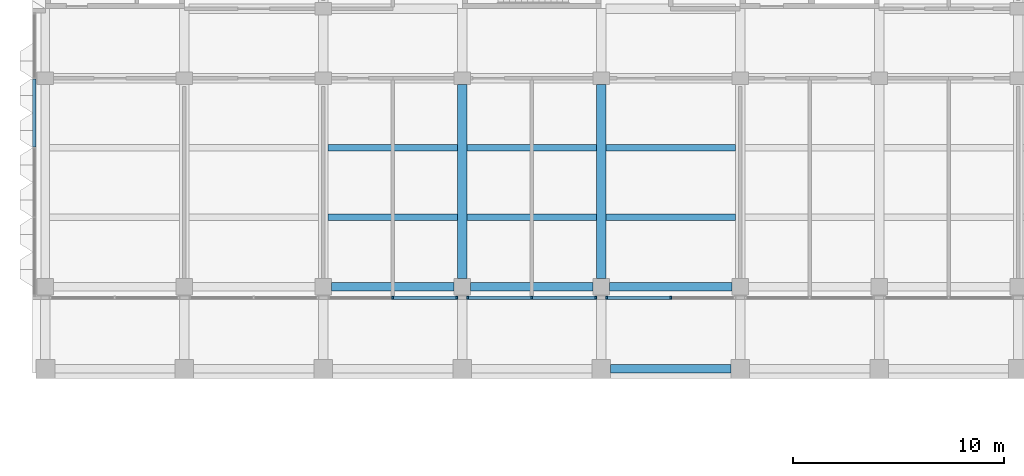
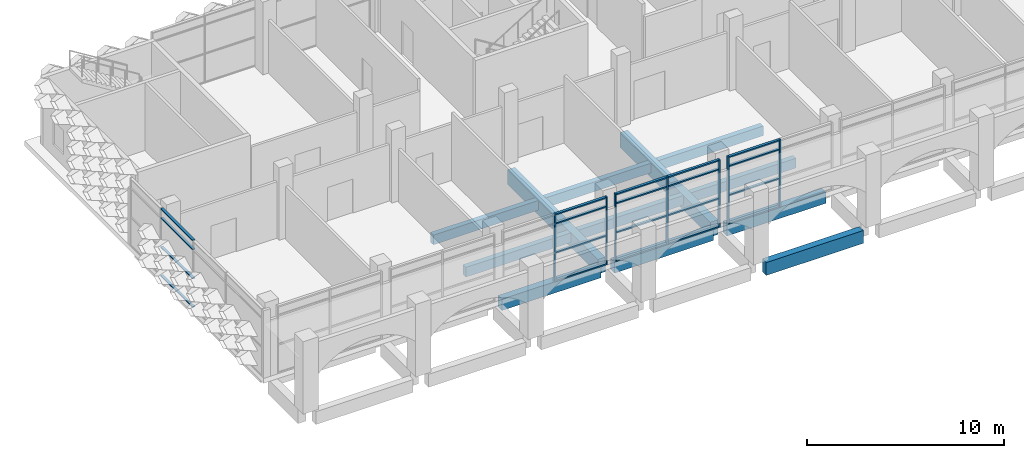
# One storey, part 3 of 87: 27 members, 12 beams, 4 elements without a shape of their own.
"""IFC4 building model written with IfcOpenShell, lengths in metres."""

from ifc_helpers import new_model, si_unit, direction, frame, origin, origin_2d, place, context, subcontext, project, spatial, rectangle, extrude, material, material_profile, profile_set, type_object, element, aggregate, save


model = new_model("IFC4")

# Units and contexts
model_context = context("Model", 3, precision=1e-05, world=origin(), true_north=direction((0.0, 1.0)))
body_context = subcontext(model_context, "Body", "Model", "MODEL_VIEW")
ifc_project = project(units=[si_unit("LENGTHUNIT", "METRE"), si_unit("AREAUNIT", "SQUARE_METRE"), si_unit("VOLUMEUNIT", "CUBIC_METRE"), si_unit("PLANEANGLEUNIT", "RADIAN"), si_unit("MASSUNIT", "GRAM", prefix="KILO")], contexts=[model_context])

# Site, building, storey
site_placement = place(None, origin())
site = spatial("IfcSite", under=ifc_project, at=site_placement, CompositionType="ELEMENT")
building_placement = place(site_placement, origin())
building = spatial("IfcBuilding", under=site, at=building_placement, Name="Lantern Court Research Institute", CompositionType="ELEMENT")
storey_placement = place(building_placement, frame((0.0, 0.0, 5.39990234375)))
storey = spatial("IfcBuildingStorey", under=building, at=storey_placement, Name="L01", CompositionType="ELEMENT", Elevation=5.39990234375)

# Curtain wall, members
ifc_material_1 = material(Name="Aluminium alloy 6063-T6", Category="aluminium")
curtain_wall_type_1 = type_object("IfcCurtainWallType", Name="Curtain wall 6150 x 4200 x 150 aluminium frame", PredefinedType="NOTDEFINED", material=ifc_material_1)
curtain_wall_1_placement = place(storey_placement, origin())
curtain_wall_1 = element("IfcCurtainWall", 1, at=curtain_wall_1_placement, inside=storey, type_object=curtain_wall_type_1, Name="Curtain wall CW025", PredefinedType="NOTDEFINED")
ifc_material_2 = material(Name="Aluminium alloy 6063-T6", Category="aluminium")
ifc_material_profile_1 = material_profile(ifc_material_2, rectangle(XDim=0.14990234375, YDim=0.080078125, at=origin_2d()), Name="Mullion 150 x 80")
ifc_profile_set_1 = profile_set([ifc_material_profile_1], Name="Aluminium alloy 6063-T6")
member_type_1 = type_object("IfcMemberType", Name="Mullion 150 x 80 aluminium", PredefinedType="MULLION", material=ifc_profile_set_1)
member_1_placement = place(storey_placement, frame((16.5, -0.52490234375, 0.0), z_axis=(0.0, 0.0, 1.0), x_axis=(0.0, -1.0, 0.0)))
member_1 = element("IfcMember", 2, at=member_1_placement, type_object=member_type_1, Name="CW025 mullion 2", PredefinedType="MULLION", context=body_context, shape_type="SweptSolid", body=[
    extrude(rectangle(XDim=0.14990234375, YDim=0.080078125, at=origin_2d()), origin(), (0.0, 0.0, 1.0), 4.2001953125),
])
member_2_placement = place(storey_placement, frame((19.534912109375, -0.52490234375, 0.0), z_axis=(0.0, 0.0, 1.0), x_axis=(0.0, -1.0, 0.0)))
member_2 = element("IfcMember", 3, at=member_2_placement, type_object=member_type_1, Name="CW025 mullion 3", PredefinedType="MULLION", context=body_context, shape_type="SweptSolid", body=[
    extrude(rectangle(XDim=0.14990234375, YDim=0.080078125, at=origin_2d()), origin(), (0.0, 0.0, 1.0), 4.2001953125),
])

curtain_wall_2_placement = place(storey_placement, origin())
curtain_wall_2 = element("IfcCurtainWall", 4, at=curtain_wall_2_placement, inside=storey, type_object=curtain_wall_type_1, Name="Curtain wall CW026", PredefinedType="NOTDEFINED")
member_3_placement = place(storey_placement, frame((20.06494140625, -0.52490234375, 0.0), z_axis=(0.0, 0.0, 1.0), x_axis=(0.0, -1.0, 0.0)))
member_3 = element("IfcMember", 5, at=member_3_placement, type_object=member_type_1, Name="CW026 mullion 1", PredefinedType="MULLION", context=body_context, shape_type="SweptSolid", body=[
    extrude(rectangle(XDim=0.14990234375, YDim=0.080078125, at=origin_2d()), origin(), (0.0, 0.0, 1.0), 4.2001953125),
])
member_4_placement = place(storey_placement, frame((23.10009765625, -0.52490234375, 0.0), z_axis=(0.0, 0.0, 1.0), x_axis=(0.0, -1.0, 0.0)))
member_4 = element("IfcMember", 6, at=member_4_placement, type_object=member_type_1, Name="CW026 mullion 2", PredefinedType="MULLION", context=body_context, shape_type="SweptSolid", body=[
    extrude(rectangle(XDim=0.14990234375, YDim=0.080078125, at=origin_2d()), origin(), (0.0, 0.0, 1.0), 4.2001953125),
])
member_5_placement = place(storey_placement, frame((26.135009765625, -0.52490234375, 0.0), z_axis=(0.0, 0.0, 1.0), x_axis=(0.0, -1.0, 0.0)))
member_5 = element("IfcMember", 7, at=member_5_placement, type_object=member_type_1, Name="CW026 mullion 3", PredefinedType="MULLION", context=body_context, shape_type="SweptSolid", body=[
    extrude(rectangle(XDim=0.14990234375, YDim=0.080078125, at=origin_2d()), origin(), (0.0, 0.0, 1.0), 4.2001953125),
])

curtain_wall_3_placement = place(storey_placement, origin())
curtain_wall_3 = element("IfcCurtainWall", 8, at=curtain_wall_3_placement, inside=storey, type_object=curtain_wall_type_1, Name="Curtain wall CW027", PredefinedType="NOTDEFINED")
member_6_placement = place(storey_placement, frame((26.6650390625, -0.52490234375, 0.0), z_axis=(0.0, 0.0, 1.0), x_axis=(0.0, -1.0, 0.0)))
member_6 = element("IfcMember", 9, at=member_6_placement, type_object=member_type_1, Name="CW027 mullion 1", PredefinedType="MULLION", context=body_context, shape_type="SweptSolid", body=[
    extrude(rectangle(XDim=0.14990234375, YDim=0.080078125, at=origin_2d()), origin(), (0.0, 0.0, 1.0), 4.2001953125),
])
member_7_placement = place(storey_placement, frame((29.699951171875, -0.52490234375, 0.0), z_axis=(0.0, 0.0, 1.0), x_axis=(0.0, -1.0, 0.0)))
member_7 = element("IfcMember", 10, at=member_7_placement, type_object=member_type_1, Name="CW027 mullion 2", PredefinedType="MULLION", context=body_context, shape_type="SweptSolid", body=[
    extrude(rectangle(XDim=0.14990234375, YDim=0.080078125, at=origin_2d()), origin(), (0.0, 0.0, 1.0), 4.2001953125),
])

# Beams
ifc_material_3 = material(Name="Concrete C40/50", Category="concrete")
ifc_material_profile_2 = material_profile(ifc_material_3, rectangle(XDim=0.39990234375, YDim=0.699951171875, at=origin_2d()), Name="RC beam 400 x 700")
ifc_profile_set_2 = profile_set([ifc_material_profile_2], Name="Concrete C40/50")
beam_type_1 = type_object("IfcBeamType", Name="RC edge beam 400 x 700", PredefinedType="BEAM", material=ifc_profile_set_2)
beam_1_placement = place(storey_placement, frame((13.60009765625, 0.0, -0.64990234375), z_axis=(1.0, 0.0, 0.0), x_axis=(0.0, 1.0, 0.0)))
element("IfcBeam", 11, at=beam_1_placement, inside=storey, type_object=beam_type_1, Name="Edge beam L01 grid A/3-4", PredefinedType="BEAM", context=body_context, shape_type="SweptSolid", body=[
    extrude(rectangle(XDim=0.39990234375, YDim=0.699951171875, at=origin_2d()), origin(), (0.0, 0.0, 1.0), 5.7998046875),
])
for number, where, z_axis, x_axis, name in (
    (12, (20.199951171875, 0.0, -0.64990234375), (1.0, 0.0, 0.0), (0.0, 1.0, 0.0), "Edge beam L01 grid A/4-5"),
    (13, (26.800048828125, 0.0, -0.64990234375), (1.0, 0.0, 0.0), (0.0, 1.0, 0.0), "Edge beam L01 grid A/5-6"),
):
    element("IfcBeam", number, at=place(storey_placement, frame(where, z_axis=z_axis, x_axis=x_axis)), inside=storey, type_object=beam_type_1, Name=name, PredefinedType="BEAM", context=body_context, shape_type="SweptSolid", body=[
        extrude(rectangle(XDim=0.39990234375, YDim=0.699951171875, at=origin_2d()), origin(), (0.0, 0.0, 1.0), 5.800048828125),
    ])
ifc_material_4 = material(Name="Concrete C40/50", Category="concrete")
ifc_material_profile_3 = material_profile(ifc_material_4, rectangle(XDim=0.449951171875, YDim=0.89990234375, at=origin_2d()), Name="RC beam 450 x 900")
ifc_profile_set_3 = profile_set([ifc_material_profile_3], Name="Concrete C40/50")
beam_type_2 = type_object("IfcBeamType", Name="RC girder 450 x 900", PredefinedType="BEAM", material=ifc_profile_set_3)
for number, where, z_axis, x_axis, name in (
    (14, (19.800048828125, 0.39990234375, -0.75), (0.0, 1.0, 0.0), (-1.0, 0.0, 0.0), "Girder L01 grid 4/A-B"),
    (15, (26.39990234375, 0.39990234375, -0.75), (0.0, 1.0, 0.0), (-1.0, 0.0, 0.0), "Girder L01 grid 5/A-B"),
):
    element("IfcBeam", number, at=place(storey_placement, frame(where, z_axis=z_axis, x_axis=x_axis)), inside=storey, type_object=beam_type_2, Name=name, PredefinedType="BEAM", context=body_context, shape_type="SweptSolid", body=[
        extrude(rectangle(XDim=0.449951171875, YDim=0.89990234375, at=origin_2d()), origin(), (0.0, 0.0, 1.0), 9.2001953125),
    ])
ifc_material_5 = material(Name="Concrete C40/50", Category="concrete")
ifc_material_profile_4 = material_profile(ifc_material_5, rectangle(XDim=0.300048828125, YDim=0.60009765625, at=origin_2d()), Name="RC beam 300 x 600")
ifc_profile_set_4 = profile_set([ifc_material_profile_4], Name="Concrete C40/50")
beam_type_3 = type_object("IfcBeamType", Name="RC secondary beam 300 x 600", PredefinedType="BEAM", material=ifc_profile_set_4)
beam_2_placement = place(storey_placement, frame((13.425048828125, 3.300048828125, -0.599853515625), z_axis=(1.0, 0.0, 0.0), x_axis=(0.0, 1.0, 0.0)))
element("IfcBeam", 16, at=beam_2_placement, inside=storey, type_object=beam_type_3, Name="Secondary beam L01 grids 3-4 / A-B, line 1", PredefinedType="BEAM", context=body_context, shape_type="SweptSolid", body=[
    extrude(rectangle(XDim=0.300048828125, YDim=0.60009765625, at=origin_2d()), origin(), (0.0, 0.0, 1.0), 6.14990234375),
])
beam_3_placement = place(storey_placement, frame((20.02490234375, 3.300048828125, -0.599853515625), z_axis=(1.0, 0.0, 0.0), x_axis=(0.0, 1.0, 0.0)))
element("IfcBeam", 17, at=beam_3_placement, inside=storey, type_object=beam_type_3, Name="Secondary beam L01 grids 4-5 / A-B, line 1", PredefinedType="BEAM", context=body_context, shape_type="SweptSolid", body=[
    extrude(rectangle(XDim=0.300048828125, YDim=0.60009765625, at=origin_2d()), origin(), (0.0, 0.0, 1.0), 6.150146484375),
])
for number, where, z_axis, x_axis, name in (
    (18, (26.625, 3.300048828125, -0.599853515625), (1.0, 0.0, 0.0), (0.0, 1.0, 0.0), "Secondary beam L01 grids 5-6 / A-B, line 1"),
    (19, (13.425048828125, 6.60009765625, -0.599853515625), (1.0, 0.0, 0.0), (0.0, 1.0, 0.0), "Secondary beam L01 grids 3-4 / A-B, line 2"),
):
    element("IfcBeam", number, at=place(storey_placement, frame(where, z_axis=z_axis, x_axis=x_axis)), inside=storey, type_object=beam_type_3, Name=name, PredefinedType="BEAM", context=body_context, shape_type="SweptSolid", body=[
        extrude(rectangle(XDim=0.300048828125, YDim=0.60009765625, at=origin_2d()), origin(), (0.0, 0.0, 1.0), 6.14990234375),
    ])
beam_4_placement = place(storey_placement, frame((20.02490234375, 6.60009765625, -0.599853515625), z_axis=(1.0, 0.0, 0.0), x_axis=(0.0, 1.0, 0.0)))
element("IfcBeam", 20, at=beam_4_placement, inside=storey, type_object=beam_type_3, Name="Secondary beam L01 grids 4-5 / A-B, line 2", PredefinedType="BEAM", context=body_context, shape_type="SweptSolid", body=[
    extrude(rectangle(XDim=0.300048828125, YDim=0.60009765625, at=origin_2d()), origin(), (0.0, 0.0, 1.0), 6.150146484375),
])
beam_5_placement = place(storey_placement, frame((26.625, 6.60009765625, -0.599853515625), z_axis=(1.0, 0.0, 0.0), x_axis=(0.0, 1.0, 0.0)))
element("IfcBeam", 21, at=beam_5_placement, inside=storey, type_object=beam_type_3, Name="Secondary beam L01 grids 5-6 / A-B, line 2", PredefinedType="BEAM", context=body_context, shape_type="SweptSolid", body=[
    extrude(rectangle(XDim=0.300048828125, YDim=0.60009765625, at=origin_2d()), origin(), (0.0, 0.0, 1.0), 6.14990234375),
])
ifc_material_6 = material(Name="Concrete C40/50", Category="concrete")
ifc_material_profile_5 = material_profile(ifc_material_6, rectangle(XDim=0.39990234375, YDim=0.800048828125, at=origin_2d()), Name="RC beam 400 x 800")
ifc_profile_set_5 = profile_set([ifc_material_profile_5], Name="Concrete C40/50")
beam_type_4 = type_object("IfcBeamType", Name="RC tie beam 400 x 800", PredefinedType="BEAM", material=ifc_profile_set_5)
beam_6_placement = place(storey_placement, frame((26.85009765625, -3.89990234375, -0.699951171875), z_axis=(1.0, 0.0, 0.0), x_axis=(0.0, 1.0, 0.0)))
element("IfcBeam", 22, at=beam_6_placement, inside=storey, type_object=beam_type_4, Name="Tie beam L01 grid Y/5-6", PredefinedType="BEAM", context=body_context, shape_type="SweptSolid", body=[
    extrude(rectangle(XDim=0.39990234375, YDim=0.800048828125, at=origin_2d()), origin(), (0.0, 0.0, 1.0), 5.699951171875),
])

# Curtain wall, members
ifc_material_7 = material(Name="Aluminium alloy 6063-T6", Category="aluminium")
curtain_wall_type_2 = type_object("IfcCurtainWallType", Name="Curtain wall 13450 x 4200 x 150 aluminium frame", PredefinedType="NOTDEFINED", material=ifc_material_7)
curtain_wall_4_placement = place(storey_placement, origin())
curtain_wall_4 = element("IfcCurtainWall", 23, at=curtain_wall_4_placement, inside=storey, type_object=curtain_wall_type_2, Name="Curtain wall CW031", PredefinedType="NOTDEFINED")
ifc_material_8 = material(Name="Aluminium alloy 6063-T6", Category="aluminium")
ifc_material_profile_6 = material_profile(ifc_material_8, rectangle(XDim=0.14990234375, YDim=0.06005859375, at=origin_2d()), Name="Transom 150 x 60")
ifc_profile_set_6 = profile_set([ifc_material_profile_6], Name="Aluminium alloy 6063-T6")
member_type_2 = type_object("IfcMemberType", Name="Transom 150 x 60 aluminium", PredefinedType="USERDEFINED", material=ifc_profile_set_6)
member_8_placement = place(storey_placement, frame((-0.52490234375, 6.6298828125, 0.030029296875), z_axis=(0.0, 1.0, 0.0), x_axis=(-1.0, 0.0, 0.0)))
member_8 = element("IfcMember", 24, at=member_8_placement, type_object=member_type_2, Name="CW031 transom 3.1", ObjectType="TRANSOM", PredefinedType="USERDEFINED", context=body_context, shape_type="SweptSolid", body=[
    extrude(rectangle(XDim=0.14990234375, YDim=0.06005859375, at=origin_2d()), origin(), (0.0, 0.0, 1.0), 3.240234375),
])
member_9_placement = place(storey_placement, frame((-0.52490234375, 6.6298828125, 1.800048828125), z_axis=(0.0, 1.0, 0.0), x_axis=(-1.0, 0.0, 0.0)))
member_9 = element("IfcMember", 25, at=member_9_placement, type_object=member_type_2, Name="CW031 transom 3.2", ObjectType="TRANSOM", PredefinedType="USERDEFINED", context=body_context, shape_type="SweptSolid", body=[
    extrude(rectangle(XDim=0.14990234375, YDim=0.06005859375, at=origin_2d()), origin(), (0.0, 0.0, 1.0), 3.240234375),
])
member_10_placement = place(storey_placement, frame((-0.52490234375, 6.6298828125, 3.60009765625), z_axis=(0.0, 1.0, 0.0), x_axis=(-1.0, 0.0, 0.0)))
member_10 = element("IfcMember", 26, at=member_10_placement, type_object=member_type_2, Name="CW031 transom 3.3", ObjectType="TRANSOM", PredefinedType="USERDEFINED", context=body_context, shape_type="SweptSolid", body=[
    extrude(rectangle(XDim=0.14990234375, YDim=0.06005859375, at=origin_2d()), origin(), (0.0, 0.0, 1.0), 3.240234375),
])
member_11_placement = place(storey_placement, frame((-0.52490234375, 6.6298828125, 4.170166015625), z_axis=(0.0, 1.0, 0.0), x_axis=(-1.0, 0.0, 0.0)))
member_11 = element("IfcMember", 27, at=member_11_placement, type_object=member_type_2, Name="CW031 transom 3.4", ObjectType="TRANSOM", PredefinedType="USERDEFINED", context=body_context, shape_type="SweptSolid", body=[
    extrude(rectangle(XDim=0.14990234375, YDim=0.06005859375, at=origin_2d()), origin(), (0.0, 0.0, 1.0), 3.240234375),
])
aggregate(curtain_wall_4, [member_8, member_9, member_10, member_11])

# Member
ifc_material_9 = material(Name="Aluminium alloy 6063-T6", Category="aluminium")
ifc_material_profile_7 = material_profile(ifc_material_9, rectangle(XDim=0.14990234375, YDim=0.080078125, at=origin_2d()), Name="Transom 150 x 80")
ifc_profile_set_7 = profile_set([ifc_material_profile_7], Name="Aluminium alloy 6063-T6")
member_type_3 = type_object("IfcMemberType", Name="Transom 150 x 80 aluminium", PredefinedType="USERDEFINED", material=ifc_profile_set_7)
member_12_placement = place(storey_placement, frame((19.4951171875, -0.52490234375, 0.0400390625), z_axis=(-1.0, 0.0, 0.0), x_axis=(0.0, -1.0, 0.0)))
member_12 = element("IfcMember", 28, at=member_12_placement, type_object=member_type_3, Name="CW025 transom 2.1", ObjectType="TRANSOM", PredefinedType="USERDEFINED", context=body_context, shape_type="SweptSolid", body=[
    extrude(rectangle(XDim=0.14990234375, YDim=0.080078125, at=origin_2d()), origin(), (0.0, 0.0, 1.0), 2.955078125),
])

member_13_placement = place(storey_placement, frame((19.4951171875, -0.52490234375, 1.800048828125), z_axis=(-1.0, 0.0, 0.0), x_axis=(0.0, -1.0, 0.0)))
member_13 = element("IfcMember", 29, at=member_13_placement, type_object=member_type_3, Name="CW025 transom 2.2", ObjectType="TRANSOM", PredefinedType="USERDEFINED", context=body_context, shape_type="SweptSolid", body=[
    extrude(rectangle(XDim=0.14990234375, YDim=0.080078125, at=origin_2d()), origin(), (0.0, 0.0, 1.0), 2.955078125),
])

member_14_placement = place(storey_placement, frame((19.4951171875, -0.52490234375, 3.60009765625), z_axis=(-1.0, 0.0, 0.0), x_axis=(0.0, -1.0, 0.0)))
member_14 = element("IfcMember", 30, at=member_14_placement, type_object=member_type_3, Name="CW025 transom 2.3", ObjectType="TRANSOM", PredefinedType="USERDEFINED", context=body_context, shape_type="SweptSolid", body=[
    extrude(rectangle(XDim=0.14990234375, YDim=0.080078125, at=origin_2d()), origin(), (0.0, 0.0, 1.0), 2.955078125),
])

member_15_placement = place(storey_placement, frame((19.4951171875, -0.52490234375, 4.16015625), z_axis=(-1.0, 0.0, 0.0), x_axis=(0.0, -1.0, 0.0)))
member_15 = element("IfcMember", 31, at=member_15_placement, type_object=member_type_3, Name="CW025 transom 2.4", ObjectType="TRANSOM", PredefinedType="USERDEFINED", context=body_context, shape_type="SweptSolid", body=[
    extrude(rectangle(XDim=0.14990234375, YDim=0.080078125, at=origin_2d()), origin(), (0.0, 0.0, 1.0), 2.955078125),
])

aggregate(curtain_wall_1, [member_1, member_2, member_12, member_13, member_14, member_15])

member_16_placement = place(storey_placement, frame((23.06005859375, -0.52490234375, 0.0400390625), z_axis=(-1.0, 0.0, 0.0), x_axis=(0.0, -1.0, 0.0)))
member_16 = element("IfcMember", 32, at=member_16_placement, type_object=member_type_3, Name="CW026 transom 1.1", ObjectType="TRANSOM", PredefinedType="USERDEFINED", context=body_context, shape_type="SweptSolid", body=[
    extrude(rectangle(XDim=0.14990234375, YDim=0.080078125, at=origin_2d()), origin(), (0.0, 0.0, 1.0), 2.955078125),
])

member_17_placement = place(storey_placement, frame((23.06005859375, -0.52490234375, 1.800048828125), z_axis=(-1.0, 0.0, 0.0), x_axis=(0.0, -1.0, 0.0)))
member_17 = element("IfcMember", 33, at=member_17_placement, type_object=member_type_3, Name="CW026 transom 1.2", ObjectType="TRANSOM", PredefinedType="USERDEFINED", context=body_context, shape_type="SweptSolid", body=[
    extrude(rectangle(XDim=0.14990234375, YDim=0.080078125, at=origin_2d()), origin(), (0.0, 0.0, 1.0), 2.955078125),
])

member_18_placement = place(storey_placement, frame((23.06005859375, -0.52490234375, 3.60009765625), z_axis=(-1.0, 0.0, 0.0), x_axis=(0.0, -1.0, 0.0)))
member_18 = element("IfcMember", 34, at=member_18_placement, type_object=member_type_3, Name="CW026 transom 1.3", ObjectType="TRANSOM", PredefinedType="USERDEFINED", context=body_context, shape_type="SweptSolid", body=[
    extrude(rectangle(XDim=0.14990234375, YDim=0.080078125, at=origin_2d()), origin(), (0.0, 0.0, 1.0), 2.955078125),
])

member_19_placement = place(storey_placement, frame((23.06005859375, -0.52490234375, 4.16015625), z_axis=(-1.0, 0.0, 0.0), x_axis=(0.0, -1.0, 0.0)))
member_19 = element("IfcMember", 35, at=member_19_placement, type_object=member_type_3, Name="CW026 transom 1.4", ObjectType="TRANSOM", PredefinedType="USERDEFINED", context=body_context, shape_type="SweptSolid", body=[
    extrude(rectangle(XDim=0.14990234375, YDim=0.080078125, at=origin_2d()), origin(), (0.0, 0.0, 1.0), 2.955078125),
])

member_20_placement = place(storey_placement, frame((26.094970703125, -0.52490234375, 0.0400390625), z_axis=(-1.0, 0.0, 0.0), x_axis=(0.0, -1.0, 0.0)))
member_20 = element("IfcMember", 36, at=member_20_placement, type_object=member_type_3, Name="CW026 transom 2.1", ObjectType="TRANSOM", PredefinedType="USERDEFINED", context=body_context, shape_type="SweptSolid", body=[
    extrude(rectangle(XDim=0.14990234375, YDim=0.080078125, at=origin_2d()), origin(), (0.0, 0.0, 1.0), 2.955078125),
])

member_21_placement = place(storey_placement, frame((26.094970703125, -0.52490234375, 1.800048828125), z_axis=(-1.0, 0.0, 0.0), x_axis=(0.0, -1.0, 0.0)))
member_21 = element("IfcMember", 37, at=member_21_placement, type_object=member_type_3, Name="CW026 transom 2.2", ObjectType="TRANSOM", PredefinedType="USERDEFINED", context=body_context, shape_type="SweptSolid", body=[
    extrude(rectangle(XDim=0.14990234375, YDim=0.080078125, at=origin_2d()), origin(), (0.0, 0.0, 1.0), 2.955078125),
])

member_22_placement = place(storey_placement, frame((26.094970703125, -0.52490234375, 3.60009765625), z_axis=(-1.0, 0.0, 0.0), x_axis=(0.0, -1.0, 0.0)))
member_22 = element("IfcMember", 38, at=member_22_placement, type_object=member_type_3, Name="CW026 transom 2.3", ObjectType="TRANSOM", PredefinedType="USERDEFINED", context=body_context, shape_type="SweptSolid", body=[
    extrude(rectangle(XDim=0.14990234375, YDim=0.080078125, at=origin_2d()), origin(), (0.0, 0.0, 1.0), 2.955078125),
])

member_23_placement = place(storey_placement, frame((26.094970703125, -0.52490234375, 4.16015625), z_axis=(-1.0, 0.0, 0.0), x_axis=(0.0, -1.0, 0.0)))
member_23 = element("IfcMember", 39, at=member_23_placement, type_object=member_type_3, Name="CW026 transom 2.4", ObjectType="TRANSOM", PredefinedType="USERDEFINED", context=body_context, shape_type="SweptSolid", body=[
    extrude(rectangle(XDim=0.14990234375, YDim=0.080078125, at=origin_2d()), origin(), (0.0, 0.0, 1.0), 2.955078125),
])

aggregate(curtain_wall_2, [member_3, member_4, member_5, member_16, member_17, member_18, member_19, member_20, member_21, member_22, member_23])

member_24_placement = place(storey_placement, frame((29.659912109375, -0.52490234375, 0.0400390625), z_axis=(-1.0, 0.0, 0.0), x_axis=(0.0, -1.0, 0.0)))
member_24 = element("IfcMember", 40, at=member_24_placement, type_object=member_type_3, Name="CW027 transom 1.1", ObjectType="TRANSOM", PredefinedType="USERDEFINED", context=body_context, shape_type="SweptSolid", body=[
    extrude(rectangle(XDim=0.14990234375, YDim=0.080078125, at=origin_2d()), origin(), (0.0, 0.0, 1.0), 2.954833984375),
])

member_25_placement = place(storey_placement, frame((29.659912109375, -0.52490234375, 1.800048828125), z_axis=(-1.0, 0.0, 0.0), x_axis=(0.0, -1.0, 0.0)))
member_25 = element("IfcMember", 41, at=member_25_placement, type_object=member_type_3, Name="CW027 transom 1.2", ObjectType="TRANSOM", PredefinedType="USERDEFINED", context=body_context, shape_type="SweptSolid", body=[
    extrude(rectangle(XDim=0.14990234375, YDim=0.080078125, at=origin_2d()), origin(), (0.0, 0.0, 1.0), 2.954833984375),
])

member_26_placement = place(storey_placement, frame((29.659912109375, -0.52490234375, 3.60009765625), z_axis=(-1.0, 0.0, 0.0), x_axis=(0.0, -1.0, 0.0)))
member_26 = element("IfcMember", 42, at=member_26_placement, type_object=member_type_3, Name="CW027 transom 1.3", ObjectType="TRANSOM", PredefinedType="USERDEFINED", context=body_context, shape_type="SweptSolid", body=[
    extrude(rectangle(XDim=0.14990234375, YDim=0.080078125, at=origin_2d()), origin(), (0.0, 0.0, 1.0), 2.954833984375),
])

member_27_placement = place(storey_placement, frame((29.659912109375, -0.52490234375, 4.16015625), z_axis=(-1.0, 0.0, 0.0), x_axis=(0.0, -1.0, 0.0)))
member_27 = element("IfcMember", 43, at=member_27_placement, type_object=member_type_3, Name="CW027 transom 1.4", ObjectType="TRANSOM", PredefinedType="USERDEFINED", context=body_context, shape_type="SweptSolid", body=[
    extrude(rectangle(XDim=0.14990234375, YDim=0.080078125, at=origin_2d()), origin(), (0.0, 0.0, 1.0), 2.954833984375),
])

aggregate(curtain_wall_3, [member_6, member_7, member_24, member_25, member_26, member_27])

save(model, "model.ifc")
